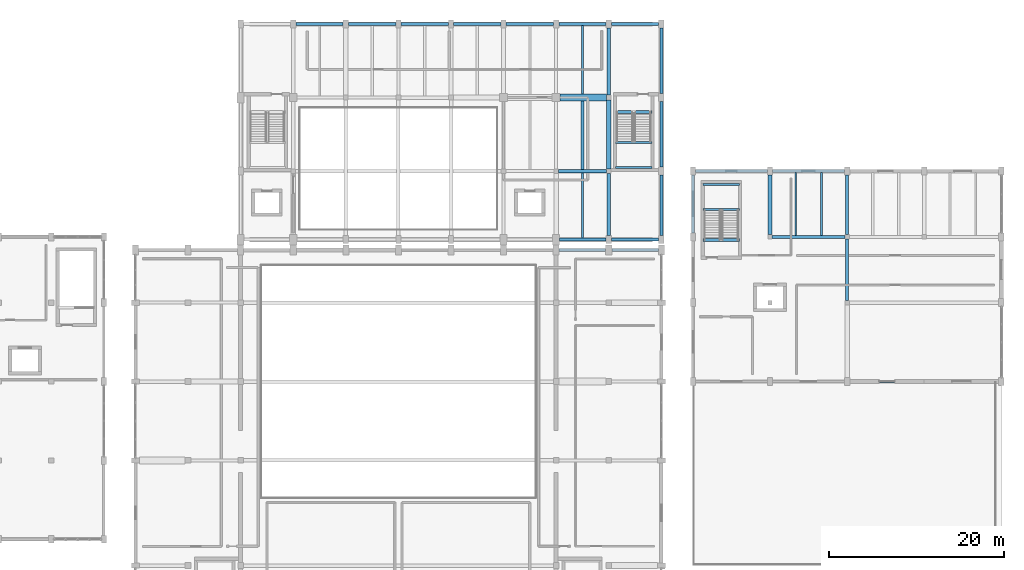
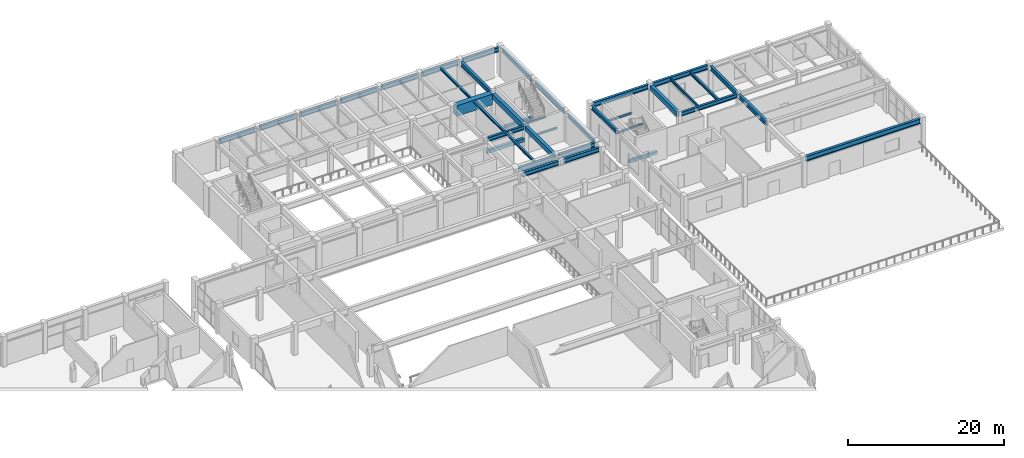
# One storey, part 28 of 62: 39 beams.
"""IFC4 building model written with IfcOpenShell, lengths in metres."""

from ifc_helpers import new_model, si_unit, direction, frame, origin, origin_2d, place, context, subcontext, project, spatial, rectangle, i_section, extrude, material, material_profile, profile_set, type_object, element, save


model = new_model("IFC4")

# Units and contexts
model_context = context("Model", 3, precision=1e-05, world=origin(), true_north=direction((0.0, 1.0)))
body_context = subcontext(model_context, "Body", "Model", "MODEL_VIEW")
ifc_project = project(units=[si_unit("LENGTHUNIT", "METRE"), si_unit("AREAUNIT", "SQUARE_METRE"), si_unit("VOLUMEUNIT", "CUBIC_METRE"), si_unit("PLANEANGLEUNIT", "RADIAN"), si_unit("MASSUNIT", "GRAM", prefix="KILO")], contexts=[model_context])

# Site, building, storey
site_placement = place(None, origin())
site = spatial("IfcSite", under=ifc_project, at=site_placement, CompositionType="ELEMENT")
building_placement = place(site_placement, origin())
building = spatial("IfcBuilding", under=site, at=building_placement, Name="Vaelkrest Opera House", CompositionType="ELEMENT")
storey_placement = place(building_placement, frame((0.0, 0.0, 19.800048828125)))
storey = spatial("IfcBuildingStorey", under=building, at=storey_placement, Name="L04", CompositionType="ELEMENT", Elevation=19.800048828125)

# Beams
ifc_material_1 = material(Name="Concrete C50/60", Category="concrete")
ifc_material_profile_1 = material_profile(ifc_material_1, rectangle(XDim=0.449951171875, YDim=0.75, at=origin_2d()), Name="RCB450X750")
ifc_profile_set_1 = profile_set([ifc_material_profile_1], Name="Concrete C50/60")
beam_type_1 = type_object("IfcBeamType", Name="B02", PredefinedType="BEAM", material=ifc_profile_set_1)
beam_1_placement = place(storey_placement, frame((24.0, 17.85009765625, 4.1298828125), z_axis=(0.0, 1.0, 0.0), x_axis=(-1.0, 0.0, 0.0)))
element("IfcBeam", 1, at=beam_1_placement, inside=storey, type_object=beam_type_1, Name="Beam BM-V2-L04-1131", PredefinedType="BEAM", context=body_context, shape_type="SweptSolid", body=[
    extrude(rectangle(XDim=0.449951171875, YDim=0.75, at=origin_2d()), origin(), (0.0, 0.0, 1.0), 7.074951171875),
])
beam_2_placement = place(storey_placement, frame((42.39990234375, 17.949951171875, 4.1298828125), z_axis=(0.0, 1.0, 0.0), x_axis=(-1.0, 0.0, 0.0)))
element("IfcBeam", 2, at=beam_2_placement, inside=storey, type_object=beam_type_1, Name="Beam BM-V4-L04-2419", PredefinedType="BEAM", context=body_context, shape_type="SweptSolid", body=[
    extrude(rectangle(XDim=0.449951171875, YDim=0.75, at=origin_2d()), origin(), (0.0, 0.0, 1.0), 6.800048828125),
])
ifc_material_profile_2 = material_profile(ifc_material_1, rectangle(XDim=0.5, YDim=0.85009765625, at=origin_2d()), Name="RCB500X850")
ifc_profile_set_2 = profile_set([ifc_material_profile_2], Name="Concrete C50/60")
beam_type_2 = type_object("IfcBeamType", Name="B03", PredefinedType="BEAM", material=ifc_profile_set_2)
beam_3_placement = place(storey_placement, frame((24.0, 25.47509765625, 4.079833984375), z_axis=(0.0, 1.0, 0.0), x_axis=(-1.0, 0.0, 0.0)))
element("IfcBeam", 3, at=beam_3_placement, inside=storey, type_object=beam_type_2, Name="Beam BM-V2-L04-1132", PredefinedType="BEAM", context=body_context, shape_type="SweptSolid", body=[
    extrude(rectangle(XDim=0.5, YDim=0.85009765625, at=origin_2d()), origin(), (0.0, 0.0, 1.0), 7.849853515625),
])
ifc_material_profile_3 = material_profile(ifc_material_1, rectangle(XDim=0.800048828125, YDim=1.64990234375, at=origin_2d()), Name="RCB800X1650")
ifc_profile_set_3 = profile_set([ifc_material_profile_3], Name="Concrete C50/60")
beam_type_3 = type_object("IfcBeamType", Name="B07", PredefinedType="BEAM", material=ifc_profile_set_3)
beam_4_placement = place(storey_placement, frame((18.449951171875, 33.60009765625, 3.679931640625), z_axis=(1.0, 0.0, 0.0), x_axis=(0.0, 1.0, 0.0)))
element("IfcBeam", 4, at=beam_4_placement, inside=storey, type_object=beam_type_3, Name="Beam BM-V2-L04-1104", PredefinedType="BEAM", context=body_context, shape_type="SweptSolid", body=[
    extrude(rectangle(XDim=0.800048828125, YDim=1.64990234375, at=origin_2d()), origin(), (0.0, 0.0, 1.0), 5.275146484375),
])
ifc_material_2 = material(Name="Steel A992 Gr50", Category="steel")
ifc_material_profile_4 = material_profile(ifc_material_2, i_section(OverallWidth=0.323974609375, OverallDepth=0.611083984375, WebThickness=0.0126953125, FlangeThickness=0.01904296875, at=origin_2d()), Name="W24X104")
ifc_profile_set_4 = profile_set([ifc_material_profile_4], Name="Steel A992 Gr50")
beam_type_4 = type_object("IfcBeamType", Name="B08", PredefinedType="BEAM", material=ifc_profile_set_4)
beam_5_placement = place(storey_placement, frame((42.64990234375, 17.699951171875, 4.199462890625), z_axis=(1.0, 0.0, 0.0), x_axis=(0.0, 1.0, 0.0)))
element("IfcBeam", 5, at=beam_5_placement, inside=storey, type_object=beam_type_4, Name="Beam BM-V4-L04-2409", PredefinedType="BEAM", context=body_context, shape_type="SweptSolid", body=[
    extrude(i_section(OverallWidth=0.323974609375, OverallDepth=0.611083984375, WebThickness=0.0126953125, FlangeThickness=0.01904296875, at=origin_2d()), origin(), (0.0, 0.0, 1.0), 8.300048828125),
])
ifc_material_profile_5 = material_profile(ifc_material_2, i_section(OverallWidth=0.327880859375, OverallDepth=0.6279296875, WebThickness=0.0166015625, FlangeThickness=0.027587890625, at=origin_2d()), Name="W24X146")
ifc_profile_set_5 = profile_set([ifc_material_profile_5], Name="Steel A992 Gr50")
beam_type_5 = type_object("IfcBeamType", Name="B09", PredefinedType="BEAM", material=ifc_profile_set_5)
beam_6_placement = place(storey_placement, frame((18.27490234375, 25.199951171875, 4.19091796875), z_axis=(1.0, 0.0, 0.0), x_axis=(0.0, 1.0, 0.0)))
element("IfcBeam", 6, at=beam_6_placement, inside=storey, type_object=beam_type_5, Name="Beam BM-V2-L04-1098", PredefinedType="BEAM", context=body_context, shape_type="SweptSolid", body=[
    extrude(i_section(OverallWidth=0.327880859375, OverallDepth=0.6279296875, WebThickness=0.0166015625, FlangeThickness=0.027587890625, at=origin_2d()), origin(), (0.0, 0.0, 1.0), 5.4501953125),
])
ifc_material_profile_6 = material_profile(ifc_material_2, i_section(OverallWidth=0.35498046875, OverallDepth=0.695068359375, WebThickness=0.015380859375, FlangeThickness=0.02490234375, at=origin_2d()), Name="W27X146")
ifc_profile_set_6 = profile_set([ifc_material_profile_6], Name="Steel A992 Gr50")
beam_type_6 = type_object("IfcBeamType", Name="B10", PredefinedType="BEAM", material=ifc_profile_set_6)
beam_7_placement = place(storey_placement, frame((24.0, 33.875, 4.157470703125), z_axis=(0.0, 1.0, 0.0), x_axis=(-1.0, 0.0, 0.0)))
element("IfcBeam", 7, at=beam_7_placement, inside=storey, type_object=beam_type_6, Name="Beam BM-V2-L04-1133", PredefinedType="BEAM", context=body_context, shape_type="SweptSolid", body=[
    extrude(i_section(OverallWidth=0.35498046875, OverallDepth=0.695068359375, WebThickness=0.015380859375, FlangeThickness=0.02490234375, at=origin_2d()), origin(), (0.0, 0.0, 1.0), 7.675048828125),
])
beam_8_placement = place(storey_placement, frame((51.199951171875, 10.449951171875, 4.157470703125), z_axis=(0.0, 1.0, 0.0), x_axis=(-1.0, 0.0, 0.0)))
element("IfcBeam", 8, at=beam_8_placement, inside=storey, type_object=beam_type_6, Name="Beam BM-V4-L04-2421", PredefinedType="BEAM", context=body_context, shape_type="SweptSolid", body=[
    extrude(i_section(OverallWidth=0.35498046875, OverallDepth=0.695068359375, WebThickness=0.015380859375, FlangeThickness=0.02490234375, at=origin_2d()), origin(), (0.0, 0.0, 1.0), 7.0),
])
ifc_material_profile_7 = material_profile(ifc_material_2, i_section(OverallWidth=0.35791015625, OverallDepth=0.7060546875, WebThickness=0.018310546875, FlangeThickness=0.0302734375, at=origin_2d()), Name="W27X178")
ifc_profile_set_7 = profile_set([ifc_material_profile_7], Name="Steel A992 Gr50")
beam_type_7 = type_object("IfcBeamType", Name="B14", PredefinedType="BEAM", material=ifc_profile_set_7)
beam_9_placement = place(storey_placement, frame((51.199951171875, 17.949951171875, 4.15185546875), z_axis=(0.0, 1.0, 0.0), x_axis=(-1.0, 0.0, 0.0)))
element("IfcBeam", 9, at=beam_9_placement, inside=storey, type_object=beam_type_7, Name="Beam BM-V4-L04-2422", PredefinedType="BEAM", context=body_context, shape_type="SweptSolid", body=[
    extrude(i_section(OverallWidth=0.35791015625, OverallDepth=0.7060546875, WebThickness=0.018310546875, FlangeThickness=0.0302734375, at=origin_2d()), origin(), (0.0, 0.0, 1.0), 6.800048828125),
])
ifc_material_profile_8 = material_profile(ifc_material_2, i_section(OverallWidth=0.202880859375, OverallDepth=0.302978515625, WebThickness=0.007568359375, FlangeThickness=0.01318359375, at=origin_2d()), Name="W12X40")
ifc_profile_set_8 = profile_set([ifc_material_profile_8], Name="Steel A992 Gr50")
beam_type_8 = type_object("IfcBeamType", Name="J02", PredefinedType="JOIST", material=ifc_profile_set_8)
for number, where, z_axis, x_axis, name in (
    (10, (24.780029296875, 25.6201171875, 2.04833984375), (1.0, 0.0, 0.0), (0.0, 1.0, 0.0), "Stair landing bearer beam ST06 L04-1N"),
    (11, (24.780029296875, 28.469970703125, 2.04833984375), (1.0, 0.0, 0.0), (0.0, 1.0, 0.0), "Stair landing bearer beam ST06 L04-1F"),
    (12, (34.780029296875, 20.830078125, 2.04833984375), (1.0, 0.0, 0.0), (0.0, 1.0, 0.0), "Stair landing bearer beam ST09 L04-1N"),
    (13, (34.780029296875, 23.679931640625, 2.04833984375), (1.0, 0.0, 0.0), (0.0, 1.0, 0.0), "Stair landing bearer beam ST09 L04-1F"),
):
    element("IfcBeam", number, at=place(storey_placement, frame(where, z_axis=z_axis, x_axis=x_axis)), inside=storey, type_object=beam_type_8, Name=name, PredefinedType="JOIST", context=body_context, shape_type="SweptSolid", body=[
        extrude(i_section(OverallWidth=0.202880859375, OverallDepth=0.302978515625, WebThickness=0.007568359375, FlangeThickness=0.01318359375, at=origin_2d()), origin(), (0.0, 0.0, 1.0), 4.139892578125),
    ])
ifc_material_profile_9 = material_profile(ifc_material_2, i_section(OverallWidth=0.25390625, OverallDepth=0.305908203125, WebThickness=0.0087890625, FlangeThickness=0.0146484375, at=origin_2d()), Name="W12X53")
ifc_profile_set_9 = profile_set([ifc_material_profile_9], Name="Steel A992 Gr50")
beam_type_9 = type_object("IfcBeamType", Name="J03", PredefinedType="JOIST", material=ifc_profile_set_9)
beam_10_placement = place(storey_placement, frame((21.0, 17.577392578125, 4.35205078125), z_axis=(0.0, 1.0, 0.0), x_axis=(-1.0, 0.0, 0.0)))
element("IfcBeam", 14, at=beam_10_placement, inside=storey, type_object=beam_type_9, Name="Floor joist JST-V2-L04-1143", PredefinedType="JOIST", context=body_context, shape_type="SweptSolid", body=[
    extrude(i_section(OverallWidth=0.25390625, OverallDepth=0.305908203125, WebThickness=0.0087890625, FlangeThickness=0.0146484375, at=origin_2d()), origin(), (0.0, 0.0, 1.0), 7.45849609375),
])
ifc_material_profile_10 = material_profile(ifc_material_2, i_section(OverallWidth=0.304931640625, OverallDepth=0.30810546875, WebThickness=0.010009765625, FlangeThickness=0.015380859375, at=origin_2d()), Name="W12X65")
ifc_profile_set_10 = profile_set([ifc_material_profile_10], Name="Steel A992 Gr50")
beam_type_10 = type_object("IfcBeamType", Name="J04", PredefinedType="JOIST", material=ifc_profile_set_10)
beam_11_placement = place(storey_placement, frame((21.0, 25.364013671875, 4.350830078125), z_axis=(0.0, 1.0, 0.0), x_axis=(-1.0, 0.0, 0.0)))
element("IfcBeam", 15, at=beam_11_placement, inside=storey, type_object=beam_type_10, Name="Floor joist JST-V2-L04-1144", PredefinedType="JOIST", context=body_context, shape_type="SweptSolid", body=[
    extrude(i_section(OverallWidth=0.304931640625, OverallDepth=0.30810546875, WebThickness=0.010009765625, FlangeThickness=0.015380859375, at=origin_2d()), origin(), (0.0, 0.0, 1.0), 7.8359375),
])
ifc_material_profile_11 = material_profile(ifc_material_2, i_section(OverallWidth=0.2548828125, OverallDepth=0.35693359375, WebThickness=0.010498046875, FlangeThickness=0.018310546875, at=origin_2d()), Name="W14X68")
ifc_profile_set_11 = profile_set([ifc_material_profile_11], Name="Steel A992 Gr50")
beam_type_11 = type_object("IfcBeamType", Name="J05", PredefinedType="JOIST", material=ifc_profile_set_11)
beam_12_placement = place(storey_placement, frame((21.0, 34.0, 4.326416015625), z_axis=(0.0, 1.0, 0.0), x_axis=(-1.0, 0.0, 0.0)))
element("IfcBeam", 16, at=beam_12_placement, inside=storey, type_object=beam_type_11, Name="Floor joist JST-V2-L04-1145", PredefinedType="JOIST", context=body_context, shape_type="SweptSolid", body=[
    extrude(i_section(OverallWidth=0.2548828125, OverallDepth=0.35693359375, WebThickness=0.010498046875, FlangeThickness=0.018310546875, at=origin_2d()), origin(), (0.0, 0.0, 1.0), 7.822509765625),
])
ifc_material_profile_12 = material_profile(ifc_material_2, i_section(OverallWidth=0.180908203125, OverallDepth=0.4169921875, WebThickness=0.010986328125, FlangeThickness=0.018310546875, at=origin_2d()), Name="W16X57")
ifc_profile_set_12 = profile_set([ifc_material_profile_12], Name="Steel A992 Gr50")
beam_type_12 = type_object("IfcBeamType", Name="J07", PredefinedType="JOIST", material=ifc_profile_set_12)
beam_13_placement = place(storey_placement, frame((45.3330078125, 17.862060546875, 4.29638671875), z_axis=(0.0, 1.0, 0.0), x_axis=(-1.0, 0.0, 0.0)))
element("IfcBeam", 17, at=beam_13_placement, inside=storey, type_object=beam_type_12, Name="Floor joist JST-V4-L04-2427", PredefinedType="JOIST", context=body_context, shape_type="SweptSolid", body=[
    extrude(i_section(OverallWidth=0.180908203125, OverallDepth=0.4169921875, WebThickness=0.010986328125, FlangeThickness=0.018310546875, at=origin_2d()), origin(), (0.0, 0.0, 1.0), 7.160400390625),
])
ifc_material_profile_13 = material_profile(ifc_material_2, i_section(OverallWidth=0.261962890625, OverallDepth=0.4189453125, WebThickness=0.01171875, FlangeThickness=0.019287109375, at=origin_2d()), Name="W16X77")
ifc_profile_set_13 = profile_set([ifc_material_profile_13], Name="Steel A992 Gr50")
beam_type_13 = type_object("IfcBeamType", Name="J08", PredefinedType="JOIST", material=ifc_profile_set_13)
beam_14_placement = place(storey_placement, frame((48.26708984375, 17.862060546875, 4.29541015625), z_axis=(0.0, 1.0, 0.0), x_axis=(-1.0, 0.0, 0.0)))
element("IfcBeam", 18, at=beam_14_placement, inside=storey, type_object=beam_type_13, Name="Floor joist JST-V4-L04-2428", PredefinedType="JOIST", context=body_context, shape_type="SweptSolid", body=[
    extrude(i_section(OverallWidth=0.261962890625, OverallDepth=0.4189453125, WebThickness=0.01171875, FlangeThickness=0.019287109375, at=origin_2d()), origin(), (0.0, 0.0, 1.0), 7.160400390625),
])
ifc_material_profile_14 = material_profile(ifc_material_1, rectangle(XDim=0.35009765625, YDim=0.449951171875, at=origin_2d()), Name="RCB350X450")
ifc_profile_set_14 = profile_set([ifc_material_profile_14], Name="Concrete C50/60")
beam_type_14 = type_object("IfcBeamType", Name="LN01", PredefinedType="LINTEL", material=ifc_profile_set_14)
for number, where, z_axis, x_axis, name in (
    (19, (24.780029296875, 31.949951171875, -0.22509765625), (1.0, 0.0, 0.0), (0.0, 1.0, 0.0), "Stairwell trimmer beam ST06 L04"),
    (20, (34.780029296875, 17.35009765625, -0.22509765625), (1.0, 0.0, 0.0), (0.0, 1.0, 0.0), "Stairwell trimmer beam ST09 L04"),
):
    element("IfcBeam", number, at=place(storey_placement, frame(where, z_axis=z_axis, x_axis=x_axis)), inside=storey, type_object=beam_type_14, Name=name, PredefinedType="LINTEL", context=body_context, shape_type="SweptSolid", body=[
        extrude(rectangle(XDim=0.35009765625, YDim=0.449951171875, at=origin_2d()), origin(), (0.0, 0.0, 1.0), 4.139892578125),
    ])
ifc_material_profile_15 = material_profile(ifc_material_1, rectangle(XDim=0.39990234375, YDim=0.52001953125, at=origin_2d()), Name="RCB400X520")
ifc_profile_set_15 = profile_set([ifc_material_profile_15], Name="Concrete C50/60")
beam_type_15 = type_object("IfcBeamType", Name="LN02", PredefinedType="LINTEL", material=ifc_profile_set_15)
beam_15_placement = place(storey_placement, frame((18.25, 25.199951171875, 2.300048828125), z_axis=(1.0, 0.0, 0.0), x_axis=(0.0, 1.0, 0.0)))
element("IfcBeam", 21, at=beam_15_placement, inside=storey, type_object=beam_type_15, Name="Portal lintel L04-2", PredefinedType="LINTEL", context=body_context, shape_type="SweptSolid", body=[
    extrude(rectangle(XDim=0.39990234375, YDim=0.52001953125, at=origin_2d()), origin(), (0.0, 0.0, 1.0), 5.5),
])
ifc_material_profile_16 = material_profile(ifc_material_2, i_section(OverallWidth=0.323974609375, OverallDepth=0.611083984375, WebThickness=0.0126953125, FlangeThickness=0.01904296875, at=origin_2d()), Name="W24X104")
ifc_profile_set_16 = profile_set([ifc_material_profile_16], Name="Steel A992 Gr50")
beam_type_16 = type_object("IfcBeamType", Name="SP01", PredefinedType="SPANDREL", material=ifc_profile_set_16)
beam_16_placement = place(storey_placement, frame((30.0, 17.85009765625, 4.199462890625), z_axis=(0.0, 1.0, 0.0), x_axis=(-1.0, 0.0, 0.0)))
element("IfcBeam", 22, at=beam_16_placement, inside=storey, type_object=beam_type_16, Name="Beam BM-V2-L04-1134", PredefinedType="SPANDREL", context=body_context, shape_type="SweptSolid", body=[
    extrude(i_section(OverallWidth=0.323974609375, OverallDepth=0.611083984375, WebThickness=0.0126953125, FlangeThickness=0.01904296875, at=origin_2d()), origin(), (0.0, 0.0, 1.0), 6.89990234375),
])
for number, where, z_axis, x_axis, name in (
    (23, (30.0, 25.64990234375, 4.199462890625), (0.0, 1.0, 0.0), (-1.0, 0.0, 0.0), "Beam BM-V2-L04-1135"),
    (24, (30.0, 34.050048828125, 4.199462890625), (0.0, 1.0, 0.0), (-1.0, 0.0, 0.0), "Beam BM-V2-L04-1136"),
):
    element("IfcBeam", number, at=place(storey_placement, frame(where, z_axis=z_axis, x_axis=x_axis)), inside=storey, type_object=beam_type_16, Name=name, PredefinedType="SPANDREL", context=body_context, shape_type="SweptSolid", body=[
        extrude(i_section(OverallWidth=0.323974609375, OverallDepth=0.611083984375, WebThickness=0.0126953125, FlangeThickness=0.01904296875, at=origin_2d()), origin(), (0.0, 0.0, 1.0), 7.5),
    ])
beam_17_placement = place(storey_placement, frame((33.60009765625, 18.14990234375, 4.199462890625), z_axis=(0.0, 1.0, 0.0), x_axis=(-1.0, 0.0, 0.0)))
element("IfcBeam", 25, at=beam_17_placement, inside=storey, type_object=beam_type_16, Name="Beam BM-V4-L04-2418", PredefinedType="SPANDREL", context=body_context, shape_type="SweptSolid", body=[
    extrude(i_section(OverallWidth=0.323974609375, OverallDepth=0.611083984375, WebThickness=0.0126953125, FlangeThickness=0.01904296875, at=origin_2d()), origin(), (0.0, 0.0, 1.0), 6.60009765625),
])
ifc_material_profile_17 = material_profile(ifc_material_2, i_section(OverallWidth=0.35498046875, OverallDepth=0.695068359375, WebThickness=0.015380859375, FlangeThickness=0.02490234375, at=origin_2d()), Name="W27X146")
ifc_profile_set_17 = profile_set([ifc_material_profile_17], Name="Steel A992 Gr50")
beam_type_17 = type_object("IfcBeamType", Name="SP02", PredefinedType="SPANDREL", material=ifc_profile_set_17)
for number, where, z_axis, x_axis, name in (
    (26, (18.35009765625, 16.199951171875, 4.157470703125), (1.0, 0.0, 0.0), (0.0, 1.0, 0.0), "Beam BM-V1-L04-0575"),
    (27, (24.35009765625, 16.199951171875, 4.157470703125), (1.0, 0.0, 0.0), (0.0, 1.0, 0.0), "Beam BM-V1-L04-0576"),
):
    element("IfcBeam", number, at=place(storey_placement, frame(where, z_axis=z_axis, x_axis=x_axis)), inside=storey, type_object=beam_type_17, Name=name, PredefinedType="SPANDREL", context=body_context, shape_type="SweptSolid", body=[
        extrude(i_section(OverallWidth=0.35498046875, OverallDepth=0.695068359375, WebThickness=0.015380859375, FlangeThickness=0.02490234375, at=origin_2d()), origin(), (0.0, 0.0, 1.0), 5.2998046875),
    ])
beam_18_placement = place(storey_placement, frame((18.39990234375, 17.39990234375, 4.157470703125), z_axis=(1.0, 0.0, 0.0), x_axis=(0.0, 1.0, 0.0)))
element("IfcBeam", 28, at=beam_18_placement, inside=storey, type_object=beam_type_17, Name="Beam BM-V2-L04-1094", PredefinedType="SPANDREL", context=body_context, shape_type="SweptSolid", body=[
    extrude(i_section(OverallWidth=0.35498046875, OverallDepth=0.695068359375, WebThickness=0.015380859375, FlangeThickness=0.02490234375, at=origin_2d()), origin(), (0.0, 0.0, 1.0), 5.300048828125),
])
for number, where, z_axis, x_axis, name in (
    (29, (24.300048828125, 17.39990234375, 4.157470703125), (1.0, 0.0, 0.0), (0.0, 1.0, 0.0), "Beam BM-V2-L04-1095"),
    (30, (-11.699951171875, 42.0, 4.157470703125), (1.0, 0.0, 0.0), (0.0, 1.0, 0.0), "Beam BM-V2-L04-1106"),
    (31, (-5.699951171875, 42.0, 4.157470703125), (1.0, 0.0, 0.0), (0.0, 1.0, 0.0), "Beam BM-V2-L04-1107"),
    (32, (0.300048828125, 42.0, 4.157470703125), (1.0, 0.0, 0.0), (0.0, 1.0, 0.0), "Beam BM-V2-L04-1108"),
    (33, (6.300048828125, 42.0, 4.157470703125), (1.0, 0.0, 0.0), (0.0, 1.0, 0.0), "Beam BM-V2-L04-1109"),
    (34, (12.300048828125, 42.0, 4.157470703125), (1.0, 0.0, 0.0), (0.0, 1.0, 0.0), "Beam BM-V2-L04-1110"),
    (35, (18.300048828125, 42.0, 4.157470703125), (1.0, 0.0, 0.0), (0.0, 1.0, 0.0), "Beam BM-V2-L04-1111"),
    (36, (24.300048828125, 42.0, 4.157470703125), (1.0, 0.0, 0.0), (0.0, 1.0, 0.0), "Beam BM-V2-L04-1112"),
):
    element("IfcBeam", number, at=place(storey_placement, frame(where, z_axis=z_axis, x_axis=x_axis)), inside=storey, type_object=beam_type_17, Name=name, PredefinedType="SPANDREL", context=body_context, shape_type="SweptSolid", body=[
        extrude(i_section(OverallWidth=0.35498046875, OverallDepth=0.695068359375, WebThickness=0.015380859375, FlangeThickness=0.02490234375, at=origin_2d()), origin(), (0.0, 0.0, 1.0), 5.39990234375),
    ])
beam_19_placement = place(storey_placement, frame((33.89990234375, 25.199951171875, 4.157470703125), z_axis=(1.0, 0.0, 0.0), x_axis=(0.0, 1.0, 0.0)))
element("IfcBeam", 37, at=beam_19_placement, inside=storey, type_object=beam_type_17, Name="Beam BM-V4-L04-2412", PredefinedType="SPANDREL", context=body_context, shape_type="SweptSolid", body=[
    extrude(i_section(OverallWidth=0.35498046875, OverallDepth=0.695068359375, WebThickness=0.015380859375, FlangeThickness=0.02490234375, at=origin_2d()), origin(), (0.0, 0.0, 1.0), 8.2001953125),
])
beam_20_placement = place(storey_placement, frame((42.699951171875, 25.199951171875, 4.157470703125), z_axis=(1.0, 0.0, 0.0), x_axis=(0.0, 1.0, 0.0)))
element("IfcBeam", 38, at=beam_20_placement, inside=storey, type_object=beam_type_17, Name="Beam BM-V4-L04-2413", PredefinedType="SPANDREL", context=body_context, shape_type="SweptSolid", body=[
    extrude(i_section(OverallWidth=0.35498046875, OverallDepth=0.695068359375, WebThickness=0.015380859375, FlangeThickness=0.02490234375, at=origin_2d()), origin(), (0.0, 0.0, 1.0), 8.199951171875),
])
ifc_material_profile_18 = material_profile(ifc_material_2, i_section(OverallWidth=0.381103515625, OverallDepth=0.77294921875, WebThickness=0.0166015625, FlangeThickness=0.027099609375, at=origin_2d()), Name="W30X173")
ifc_profile_set_18 = profile_set([ifc_material_profile_18], Name="Steel A992 Gr50")
beam_type_18 = type_object("IfcBeamType", Name="SP03", PredefinedType="SPANDREL", material=ifc_profile_set_18)
beam_21_placement = place(storey_placement, frame((51.5, 1.199951171875, 4.118408203125), z_axis=(1.0, 0.0, 0.0), x_axis=(0.0, 1.0, 0.0)))
element("IfcBeam", 39, at=beam_21_placement, inside=storey, type_object=beam_type_18, Name="Beam BM-V4-L04-2407", PredefinedType="SPANDREL", context=body_context, shape_type="SweptSolid", body=[
    extrude(i_section(OverallWidth=0.381103515625, OverallDepth=0.77294921875, WebThickness=0.0166015625, FlangeThickness=0.027099609375, at=origin_2d()), origin(), (0.0, 0.0, 1.0), 17.0),
])

save(model, "model.ifc")
